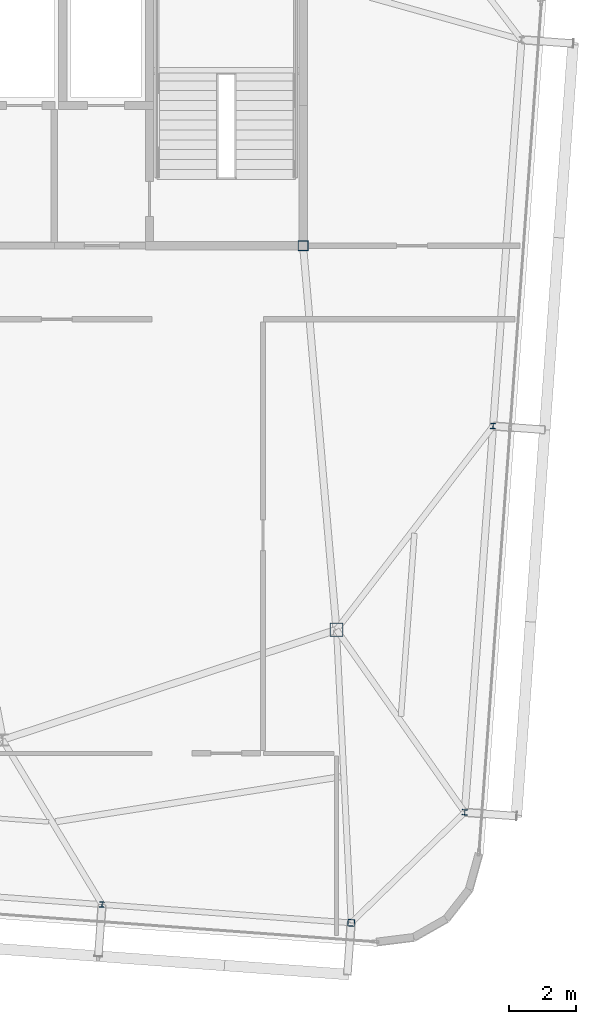
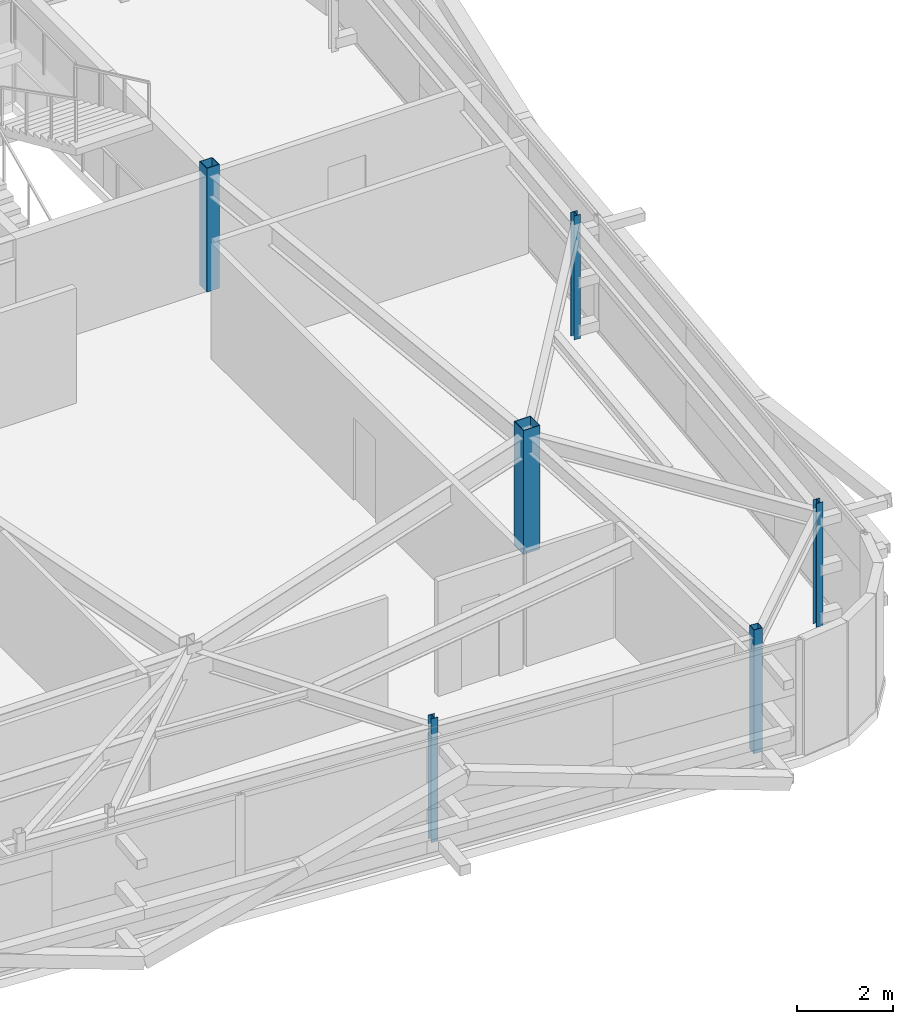
# One storey, part 5 of 34: 6 columns.
"""IFC4 building model written with IfcOpenShell, lengths in metres."""

import ifcopenshell
import ifcopenshell.guid

model = None  # the IFC model being written
_history = None  # IfcOwnerHistory: only IFC2X3 demands one
_inside = {}  # id of a spatial element -> (the spatial element, [elements in it])
_under = {}  # id of a project, library or spatial element -> (it, [spatial elements below it])
_declared = {}  # id of a project -> (the project, [libraries it declares])
_typed = {}  # id of a type object -> (the type object, [elements of that type])
_made_of = {}  # id of a material, layer set ... -> (it, [elements and type objects made of it])


def new_model(schema):
    """Start an empty IFC model of exactly this schema.

    Asked for "IFC4X3", IfcOpenShell would pick the latest addendum, in which some entities
    have other attributes; the version numbers below select the first issue.
    IFC2X3 requires an IfcOwnerHistory on every rooted entity: one is made here for all.
    """
    global model, _history
    if schema == "IFC4X3":
        model = ifcopenshell.file(schema_version=(4, 3, 0, 0))
    else:
        model = ifcopenshell.file(schema=schema)
    _inside.clear()
    _under.clear()
    _declared.clear()
    _typed.clear()
    _made_of.clear()
    _history = None
    if model.schema == "IFC2X3":
        org = make("IfcOrganization", Name="unknown")
        user = make(
            "IfcPersonAndOrganization",
            ThePerson=make("IfcPerson", FamilyName="unknown"),
            TheOrganization=org,
        )
        app = make(
            "IfcApplication",
            ApplicationDeveloper=org,
            Version="unknown",
            ApplicationFullName="unknown",
            ApplicationIdentifier="unknown",
        )
        _history = make(
            "IfcOwnerHistory",
            OwningUser=user,
            OwningApplication=app,
            ChangeAction="ADDED",
            CreationDate=0,
        )
    return model


def make(cls, **values):
    """One entity of the class cls with the attributes given. An attribute that is None is left unset."""
    return model.create_entity(
        cls, **{name: value for name, value in values.items() if value is not None}
    )


def rooted(cls, **values):
    """An entity with a GlobalId (a new one), such as an element, a storey or a relation."""
    return make(cls, GlobalId=ifcopenshell.guid.new(), OwnerHistory=_history, **values)


def si_unit(unit_type, name, prefix=None):
    """IfcSIUnit, for example si_unit("LENGTHUNIT", "METRE", prefix="MILLI")."""
    return make("IfcSIUnit", UnitType=unit_type, Prefix=prefix, Name=name)


def assignment(units):
    """IfcUnitAssignment: the units of a project."""
    return None if units is None else make("IfcUnitAssignment", Units=units)


def point(xyz):
    """IfcCartesianPoint."""
    return None if xyz is None else make("IfcCartesianPoint", Coordinates=xyz)


def direction(xyz):
    """IfcDirection."""
    return None if xyz is None else make("IfcDirection", DirectionRatios=xyz)


def frame(location, z_axis=None, x_axis=None):
    """IfcAxis2Placement3D, a coordinate frame: its origin and axes. An axis left out is left unset."""
    return make(
        "IfcAxis2Placement3D",
        Location=point(location),
        Axis=direction(z_axis),
        RefDirection=direction(x_axis),
    )


def frame_2d(location, x_axis=None):
    """IfcAxis2Placement2D, a coordinate frame in the plane: its origin and x axis."""
    return make(
        "IfcAxis2Placement2D", Location=point(location), RefDirection=direction(x_axis)
    )


def origin():
    """The frame at (0, 0, 0) with its axes left unset."""
    return frame((0.0, 0.0, 0.0))


def origin_2d():
    """The frame at (0, 0) in the plane with its x axis left unset."""
    return frame_2d((0.0, 0.0))


def place(relative_to, where):
    """IfcLocalPlacement: puts the frame where relative to a parent placement (None: the world)."""
    return make(
        "IfcLocalPlacement", PlacementRelTo=relative_to, RelativePlacement=where
    )


def context(
    kind, dimensions, precision=None, world=None, true_north=None, identifier=None
):
    """IfcGeometricRepresentationContext, for example the 3D "Model" context."""
    return make(
        "IfcGeometricRepresentationContext",
        ContextIdentifier=identifier,
        ContextType=kind,
        CoordinateSpaceDimension=dimensions,
        Precision=precision,
        WorldCoordinateSystem=world,
        TrueNorth=true_north,
    )


def subcontext(parent, identifier, kind, view, scale=None):
    """IfcGeometricRepresentationSubContext, for example "Body" below "Model"."""
    return make(
        "IfcGeometricRepresentationSubContext",
        ContextIdentifier=identifier,
        ContextType=kind,
        ParentContext=parent,
        TargetScale=scale,
        TargetView=view,
    )


def project(units=None, contexts=None):
    """IfcProject with its units and contexts."""
    return rooted(
        "IfcProject",
        Name="project",
        RepresentationContexts=contexts,
        UnitsInContext=assignment(units),
    )


def spatial(cls, under=None, at=None, **own):
    """A site, building, storey or space (cls), placed at a placement, below another one or the project."""
    s = rooted(cls, ObjectPlacement=at, **own)
    if under is not None:
        _under.setdefault(under.id(), (under, []))[1].append(s)
    return s


def profile(cls, at=None, kind="AREA", **sizes):
    """A parametric profile (cls). Its sizes go by their IFC names, for example OverallWidth=200.0."""
    return make(cls, ProfileType=kind, Position=at, **sizes)


def hollow_rectangle(**sizes):
    """IfcRectangleHollowProfileDef."""
    return profile("IfcRectangleHollowProfileDef", **sizes)


def i_section(**sizes):
    """IfcIShapeProfileDef."""
    return profile("IfcIShapeProfileDef", **sizes)


def extrude(swept, where, along, depth):
    """IfcExtrudedAreaSolid: the profile swept, set in the frame where, extruded along a direction by depth."""
    return make(
        "IfcExtrudedAreaSolid",
        SweptArea=swept,
        Position=where,
        ExtrudedDirection=direction(along),
        Depth=depth,
    )


def shape(context_of_items, identifier, shape_type, items):
    """IfcShapeRepresentation: the items that make up one representation, for example the "Body"."""
    return make(
        "IfcShapeRepresentation",
        ContextOfItems=context_of_items,
        RepresentationIdentifier=identifier,
        RepresentationType=shape_type,
        Items=items,
    )


def source(mapping_origin, context_of_items, identifier, shape_type, items):
    """IfcRepresentationMap: a shape defined once, which mapped items show again and again."""
    return make(
        "IfcRepresentationMap",
        MappingOrigin=mapping_origin,
        MappedRepresentation=shape(context_of_items, identifier, shape_type, items),
    )


def transform(
    local_origin,
    x_axis=None,
    y_axis=None,
    z_axis=None,
    scale=None,
    scale2=None,
    scale3=None,
    uniform=True,
):
    """IfcCartesianTransformationOperator3D, or its non-uniform kind. x_axis, y_axis, z_axis: its Axis1, 2, 3."""
    if uniform:
        return make(
            "IfcCartesianTransformationOperator3D",
            Axis1=direction(x_axis),
            Axis2=direction(y_axis),
            LocalOrigin=point(local_origin),
            Scale=scale,
            Axis3=direction(z_axis),
        )
    return make(
        "IfcCartesianTransformationOperator3DnonUniform",
        Axis1=direction(x_axis),
        Axis2=direction(y_axis),
        LocalOrigin=point(local_origin),
        Scale=scale,
        Axis3=direction(z_axis),
        Scale2=scale2,
        Scale3=scale3,
    )


def mapped(mapping_source, mapping_target):
    """IfcMappedItem: shows the shape of a source again, moved by a transform."""
    return make(
        "IfcMappedItem", MappingSource=mapping_source, MappingTarget=mapping_target
    )


def material(Name=None, Category=None):
    """IfcMaterial."""
    return make("IfcMaterial", Name=Name, Category=Category)


def material_profile(
    of_material, cross_section, Name=None, Category=None, Priority=None
):
    """IfcMaterialProfile: a cross section and its material."""
    return make(
        "IfcMaterialProfile",
        Name=Name,
        Material=of_material,
        Profile=cross_section,
        Priority=Priority,
        Category=Category,
    )


def profile_set(profiles, Name=None, composite=None):
    """IfcMaterialProfileSet."""
    return make(
        "IfcMaterialProfileSet",
        Name=Name,
        MaterialProfiles=profiles,
        CompositeProfile=composite,
    )


def made_of(thing, what):
    """Note that an element or type object is made of a material, layer set ...; save() writes the relation."""
    if what is not None:
        _made_of.setdefault(what.id(), (what, []))[1].append(thing)
    return thing


def type_object(cls, material=None, **own):
    """A type object (cls), such as IfcWallType, which elements share."""
    return made_of(rooted(cls, **own), material)


def element(
    cls,
    number,
    at=None,
    inside=None,
    cuts=None,
    type_object=None,
    material=None,
    context=None,
    identifier="Body",
    shape_type=None,
    held_by="IfcProductDefinitionShape",
    body=None,
    shapes=None,
    **own,
):
    """One element of the class cls, such as IfcWall. Its Tag is "e" and its number.

    at: its placement. inside: the storey or other place that contains it. cuts: it is an
    opening in that element (IfcRelVoidsElement). A single representation is given by context,
    identifier, shape_type and body (its items); several are given by shapes. held_by: the class
    of the entity that holds the representations. save() writes the other relations.
    """
    e = rooted(cls, Tag="e%d" % number, ObjectPlacement=at, **own)
    if body is not None:
        shapes = [shape(context, identifier, shape_type, body)]
    if shapes is not None:
        e.Representation = make(held_by, Representations=shapes)
    if inside is not None:
        _inside.setdefault(inside.id(), (inside, []))[1].append(e)
    if cuts is not None:
        rooted(
            "IfcRelVoidsElement", RelatingBuildingElement=cuts, RelatedOpeningElement=e
        )
    if type_object is not None:
        _typed.setdefault(type_object.id(), (type_object, []))[1].append(e)
    return made_of(e, material)


def aggregate(whole, parts):
    """IfcRelAggregates: a whole, such as a stair, and the parts it consists of."""
    return rooted("IfcRelAggregates", RelatingObject=whole, RelatedObjects=parts)


def save(model, path):
    """Write the relations noted so far, then the file.

    IfcRelAggregates (storeys below a building ...), IfcRelContainedInSpatialStructure (elements
    in a storey), IfcRelDefinesByType, IfcRelAssociatesMaterial and IfcRelDeclares: one each for
    every whole, place, type object, material and project.
    """
    for whole, parts in _under.values():
        aggregate(whole, parts)
    for where, things in _inside.values():
        rooted(
            "IfcRelContainedInSpatialStructure",
            RelatedElements=things,
            RelatingStructure=where,
        )
    for kind, things in _typed.values():
        rooted("IfcRelDefinesByType", RelatedObjects=things, RelatingType=kind)
    for what, things in _made_of.values():
        rooted("IfcRelAssociatesMaterial", RelatedObjects=things, RelatingMaterial=what)
    for by, libraries in _declared.values():
        rooted("IfcRelDeclares", RelatingContext=by, RelatedDefinitions=libraries)
    model.write(path)


model = new_model("IFC4")

# Units and contexts
model_context = context("Model", 3, precision=1e-05, world=origin(), true_north=direction((0.0, 1.0)))
body_context = subcontext(model_context, "Body", "Model", "MODEL_VIEW")
ifc_project = project(units=[si_unit("LENGTHUNIT", "METRE"), si_unit("AREAUNIT", "SQUARE_METRE"), si_unit("VOLUMEUNIT", "CUBIC_METRE"), si_unit("PLANEANGLEUNIT", "RADIAN"), si_unit("MASSUNIT", "GRAM", prefix="KILO")], contexts=[model_context])

# Site, building, storey
site_placement = place(None, origin())
site = spatial("IfcSite", under=ifc_project, at=site_placement, CompositionType="ELEMENT")
building_placement = place(site_placement, origin())
building = spatial("IfcBuilding", under=site, at=building_placement, Name="Taldren Reach Tower", CompositionType="ELEMENT")
storey_placement = place(building_placement, frame((0.0, 0.0, 246.050048828125)))
storey = spatial("IfcBuildingStorey", under=building, at=storey_placement, Name="L75", CompositionType="ELEMENT", Elevation=246.050048828125)

# Columns
ifc_material_1 = material(Name="Steel Gr 450 (C450L0)", Category="steel")
ifc_material_profile_1 = material_profile(ifc_material_1, hollow_rectangle(XDim=0.39990234375, YDim=0.39990234375, WallThickness=0.01611328125, at=origin_2d()), Name="400x400x16.0SHS")
ifc_profile_set_1 = profile_set([ifc_material_profile_1], Name="Steel Gr 450 (C450L0)")
column_type_1 = type_object("IfcColumnType", Name="COL-SHS400", PredefinedType="COLUMN", material=ifc_profile_set_1)
shared_shape_1 = source(origin(), body_context, "Body", "SweptSolid", [
    extrude(hollow_rectangle(XDim=0.39990234375, YDim=0.39990234375, WallThickness=0.01611328125, at=origin_2d()), origin(), (0.0, 0.0, 1.0), 3.14990234375),
])
column_1_placement = place(storey_placement, frame((52.0, 12.5, 0.0), z_axis=(0.0, 0.0, 1.0), x_axis=(1.0, 0.0, 0.0)))
element("IfcColumn", 1, at=column_1_placement, inside=storey, type_object=column_type_1, Name="Mega column MC-SE L75", PredefinedType="COLUMN", context=body_context, shape_type="MappedRepresentation", body=[
    mapped(shared_shape_1, transform((0.0, 0.0, 0.0), scale=1.0)),
])
ifc_material_profile_2 = material_profile(ifc_material_1, hollow_rectangle(XDim=0.300048828125, YDim=0.300048828125, WallThickness=0.012451171875, at=origin_2d()), Name="300x300x12.5SHS")
ifc_profile_set_2 = profile_set([ifc_material_profile_2], Name="Steel Gr 450 (C450L0)")
column_type_2 = type_object("IfcColumnType", Name="COL-SHS300", PredefinedType="COLUMN", material=ifc_profile_set_2)
shared_shape_2 = source(origin(), body_context, "Body", "SweptSolid", [
    extrude(hollow_rectangle(XDim=0.300048828125, YDim=0.300048828125, WallThickness=0.012451171875, at=origin_2d()), origin(), (0.0, 0.0, 1.0), 3.14990234375),
])
column_2_placement = place(storey_placement, frame((51.0, 24.0, 0.0), z_axis=(0.0, 0.0, 1.0), x_axis=(1.0, 0.0, 0.0)))
element("IfcColumn", 2, at=column_2_placement, inside=storey, type_object=column_type_2, Name="Mega column MC-C4 L75", PredefinedType="COLUMN", context=body_context, shape_type="MappedRepresentation", body=[
    mapped(shared_shape_2, transform((0.0, 0.0, 0.0), scale=1.0)),
])
ifc_material_2 = material(Name="Steel Gr 350 (C350L0)", Category="steel")
ifc_material_profile_3 = material_profile(ifc_material_2, hollow_rectangle(XDim=0.199951171875, YDim=0.199951171875, WallThickness=0.009033203125, at=origin_2d()), Name="200x200x9.0SHS")
ifc_profile_set_3 = profile_set([ifc_material_profile_3], Name="Steel Gr 350 (C350L0)")
column_type_3 = type_object("IfcColumnType", Name="COL-SHS200", PredefinedType="COLUMN", material=ifc_profile_set_3)
shared_shape_3 = source(origin(), body_context, "Body", "SweptSolid", [
    extrude(hollow_rectangle(XDim=0.199951171875, YDim=0.199951171875, WallThickness=0.009033203125, at=origin_2d()), origin(), (0.0, 0.0, 1.0), 3.14990234375),
])
column_3_placement = place(storey_placement, frame((52.440185546875, 3.72119140625, 0.0), z_axis=(0.0, 0.0, 1.0), x_axis=(0.997314477224, -0.073238197128, 0.0)))
element("IfcColumn", 3, at=column_3_placement, inside=storey, type_object=column_type_3, Name="Block B5 perimeter column S6 L75", PredefinedType="COLUMN", context=body_context, shape_type="MappedRepresentation", body=[
    mapped(shared_shape_3, transform((0.0, 0.0, 0.0), scale=1.0)),
])
ifc_material_3 = material(Name="Steel Gr 350 (350PLUS)", Category="steel")
ifc_material_profile_4 = material_profile(ifc_material_3, i_section(OverallWidth=0.154052734375, OverallDepth=0.162109375, WebThickness=0.008056640625, FlangeThickness=0.011474609375, at=origin_2d()), Name="150UC37.2")
ifc_profile_set_4 = profile_set([ifc_material_profile_4], Name="Steel Gr 350 (350PLUS)")
column_type_4 = type_object("IfcColumnType", Name="COL-UC150", PredefinedType="COLUMN", material=ifc_profile_set_4)
shared_shape_4 = source(origin(), body_context, "Body", "SweptSolid", [
    extrude(i_section(OverallWidth=0.154052734375, OverallDepth=0.162109375, WebThickness=0.008056640625, FlangeThickness=0.011474609375, at=origin_2d()), origin(), (0.0, 0.0, 1.0), 3.14990234375),
])
for number, where, z_axis, x_axis, name in (
    (4, (44.980224609375, 4.26904296875, 0.0), (0.0, 0.0, 1.0), (0.997314477224, -0.073238197128, 0.0), "Block B5 perimeter column S5 L75"),
    (5, (55.841796875, 7.031005859375, 0.0), (0.0, 0.0, 1.0), (0.997314477224, -0.073238197128, 0.0), "Block B5 perimeter column E1 L75"),
    (6, (56.69140625, 18.599853515625, 0.0), (0.0, 0.0, 1.0), (0.997314477224, -0.073238197128, 0.0), "Block B5 perimeter column E2 L75"),
):
    element("IfcColumn", number, at=place(storey_placement, frame(where, z_axis=z_axis, x_axis=x_axis)), inside=storey, type_object=column_type_4, Name=name, PredefinedType="COLUMN", context=body_context, shape_type="MappedRepresentation", body=[
        mapped(shared_shape_4, transform((0.0, 0.0, 0.0), scale=1.0)),
    ])

save(model, "model.ifc")
